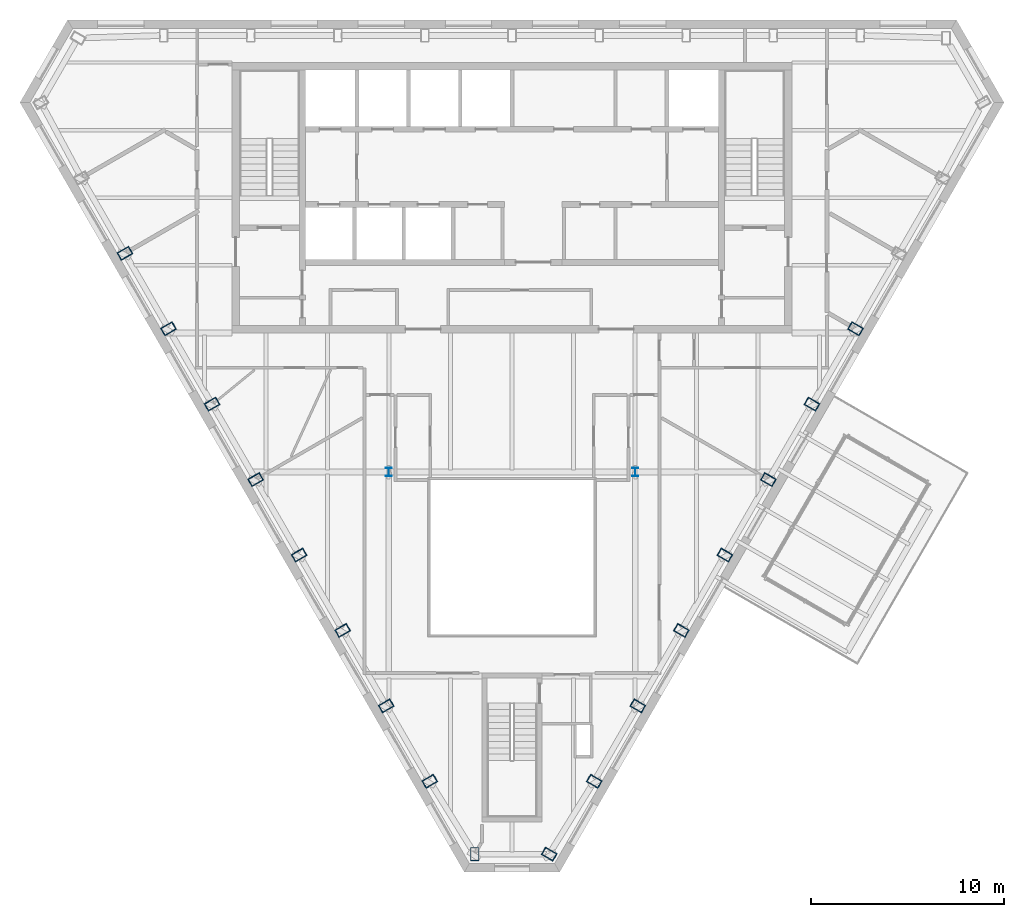
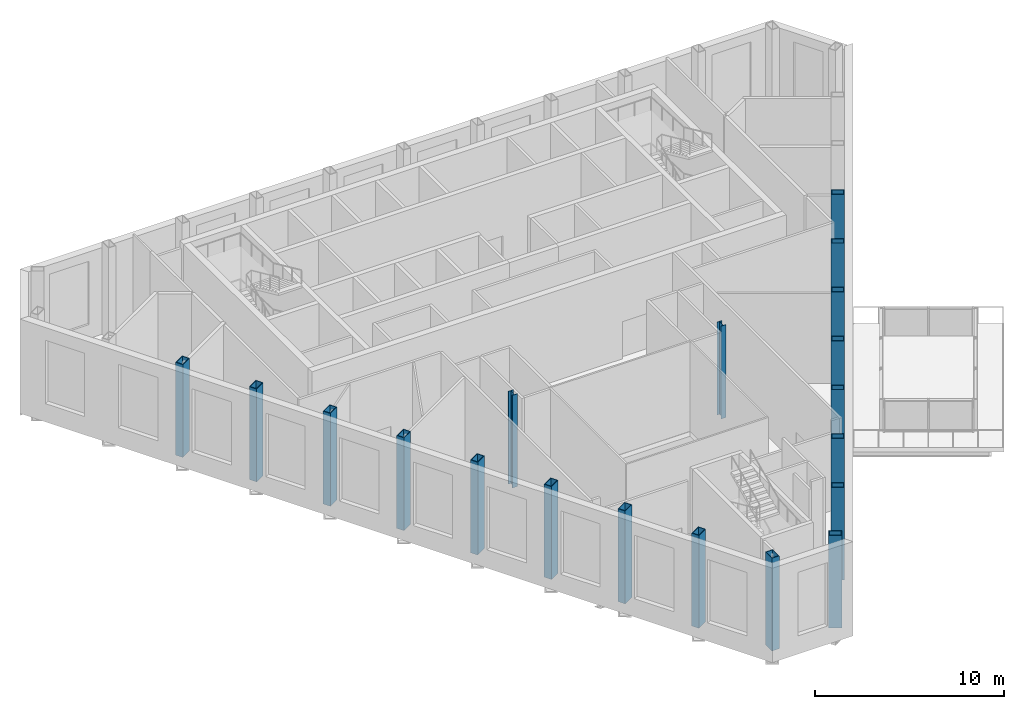
# One storey, part 1 of 11: 19 columns.
"""IFC4 building model written with IfcOpenShell, lengths in metres."""

from ifc_helpers import new_model, si_unit, direction, frame, origin, origin_2d, place, context, subcontext, project, spatial, hollow_rectangle, i_section, extrude, material, material_profile, profile_set, type_object, element, save


model = new_model("IFC4")

# Units and contexts
model_context = context("Model", 3, precision=1e-05, world=origin(), true_north=direction((0.0, 1.0)))
body_context = subcontext(model_context, "Body", "Model", "MODEL_VIEW")
ifc_project = project(units=[si_unit("LENGTHUNIT", "METRE"), si_unit("AREAUNIT", "SQUARE_METRE"), si_unit("VOLUMEUNIT", "CUBIC_METRE"), si_unit("PLANEANGLEUNIT", "RADIAN"), si_unit("MASSUNIT", "GRAM", prefix="KILO")], contexts=[model_context])

# Site, building, storey
site_placement = place(None, origin())
site = spatial("IfcSite", under=ifc_project, at=site_placement, CompositionType="ELEMENT")
building_placement = place(site_placement, origin())
building = spatial("IfcBuilding", under=site, at=building_placement, Name="Njiva Tower", CompositionType="ELEMENT")
storey_placement = place(building_placement, frame((0.0, 0.0, 298.2)))
storey = spatial("IfcBuildingStorey", under=building, at=storey_placement, Name="L68", CompositionType="ELEMENT", Elevation=298.2)

# Columns
ifc_material = material(Name="Steel S355 J2", Category="steel")
ifc_material_profile_1 = material_profile(ifc_material, hollow_rectangle(XDim=0.45, YDim=0.7, WallThickness=0.04, at=origin_2d()), Name="BOX 700x450x40")
ifc_profile_set_1 = profile_set([ifc_material_profile_1], Name="Steel S355 J2")
column_type_1 = type_object("IfcColumnType", Name="C15 Perimeter tube column BOX 700x450x40", PredefinedType="COLUMN", material=ifc_profile_set_1)
for number, where, z_axis, x_axis, name in (
    (1, (-20.034, 8.123, 0.0), (0.0, 0.0, 1.0), (0.5, -0.866025403784, 0.0), "Perimeter tube column S22-C14"),
    (2, (-17.78, 4.219, 0.0), (0.0, 0.0, 1.0), (0.5, -0.866025403784, 0.0), "Perimeter tube column S22-C15"),
    (3, (-15.526, 0.316, 0.0), (0.0, 0.0, 1.0), (0.5, -0.866025403784, 0.0), "Perimeter tube column S22-C16"),
    (4, (-13.272, -3.588, 0.0), (0.0, 0.0, 1.0), (0.5, -0.866025403784, 0.0), "Perimeter tube column S22-C17"),
    (5, (-11.018, -7.492, 0.0), (0.0, 0.0, 1.0), (0.5, -0.866025403784, 0.0), "Perimeter tube column S22-C18"),
    (6, (-8.765, -11.396, 0.0), (0.0, 0.0, 1.0), (0.5, -0.866025403784, 0.0), "Perimeter tube column S22-C19"),
    (7, (-6.511, -15.299, 0.0), (0.0, 0.0, 1.0), (0.5, -0.866025403784, 0.0), "Perimeter tube column S22-C20"),
    (8, (-4.257, -19.203, 0.0), (0.0, 0.0, 1.0), (0.5, -0.866025403784, 0.0), "Perimeter tube column S22-C21"),
    (9, (-1.926, -22.974, 0.0), (0.0, 0.0, 1.0), (1.0, 0.0, 0.0), "Perimeter tube column S22-C22"),
    (10, (1.926, -22.974, 0.0), (0.0, 0.0, 1.0), (0.5, 0.866025403784, 0.0), "Perimeter tube column S22-C23"),
    (11, (4.257, -19.203, 0.0), (0.0, 0.0, 1.0), (0.5, 0.866025403784, 0.0), "Perimeter tube column S22-C24"),
    (12, (6.511, -15.299, 0.0), (0.0, 0.0, 1.0), (0.5, 0.866025403784, 0.0), "Perimeter tube column S22-C25"),
    (13, (8.765, -11.396, 0.0), (0.0, 0.0, 1.0), (0.5, 0.866025403784, 0.0), "Perimeter tube column S22-C26"),
    (14, (11.018, -7.492, 0.0), (0.0, 0.0, 1.0), (0.5, 0.866025403784, 0.0), "Perimeter tube column S22-C27"),
    (15, (13.272, -3.588, 0.0), (0.0, 0.0, 1.0), (0.5, 0.866025403784, 0.0), "Perimeter tube column S22-C28"),
    (16, (15.526, 0.316, 0.0), (0.0, 0.0, 1.0), (0.5, 0.866025403784, 0.0), "Perimeter tube column S22-C29"),
    (17, (17.78, 4.219, 0.0), (0.0, 0.0, 1.0), (0.5, 0.866025403784, 0.0), "Perimeter tube column S22-C30"),
):
    element("IfcColumn", number, at=place(storey_placement, frame(where, z_axis=z_axis, x_axis=x_axis)), inside=storey, type_object=column_type_1, Name=name, PredefinedType="COLUMN", context=body_context, shape_type="SweptSolid", body=[
        extrude(hollow_rectangle(XDim=0.45, YDim=0.7, WallThickness=0.04, at=origin_2d()), origin(), (0.0, 0.0, 1.0), 6.0),
    ])
ifc_material_profile_2 = material_profile(ifc_material, i_section(OverallWidth=0.3, OverallDepth=0.45, WebThickness=0.014, FlangeThickness=0.026, at=origin_2d()), Name="HEB 450")
ifc_profile_set_2 = profile_set([ifc_material_profile_2], Name="Steel S355 J2")
column_type_2 = type_object("IfcColumnType", Name="C16 Interior column HEB 450", PredefinedType="COLUMN", material=ifc_profile_set_2)
for number, where, z_axis, x_axis, name in (
    (18, (6.38, -3.2, 0.0), (0.0, 0.0, 1.0), (1.0, 0.0, 0.0), "Interior column S22-C34"),
    (19, (-6.38, -3.2, 0.0), (0.0, 0.0, 1.0), (1.0, 0.0, 0.0), "Interior column S22-C35"),
):
    element("IfcColumn", number, at=place(storey_placement, frame(where, z_axis=z_axis, x_axis=x_axis)), inside=storey, type_object=column_type_2, Name=name, PredefinedType="COLUMN", context=body_context, shape_type="SweptSolid", body=[
        extrude(i_section(OverallWidth=0.3, OverallDepth=0.45, WebThickness=0.014, FlangeThickness=0.026, at=origin_2d()), origin(), (0.0, 0.0, 1.0), 6.0),
    ])

save(model, "model.ifc")
